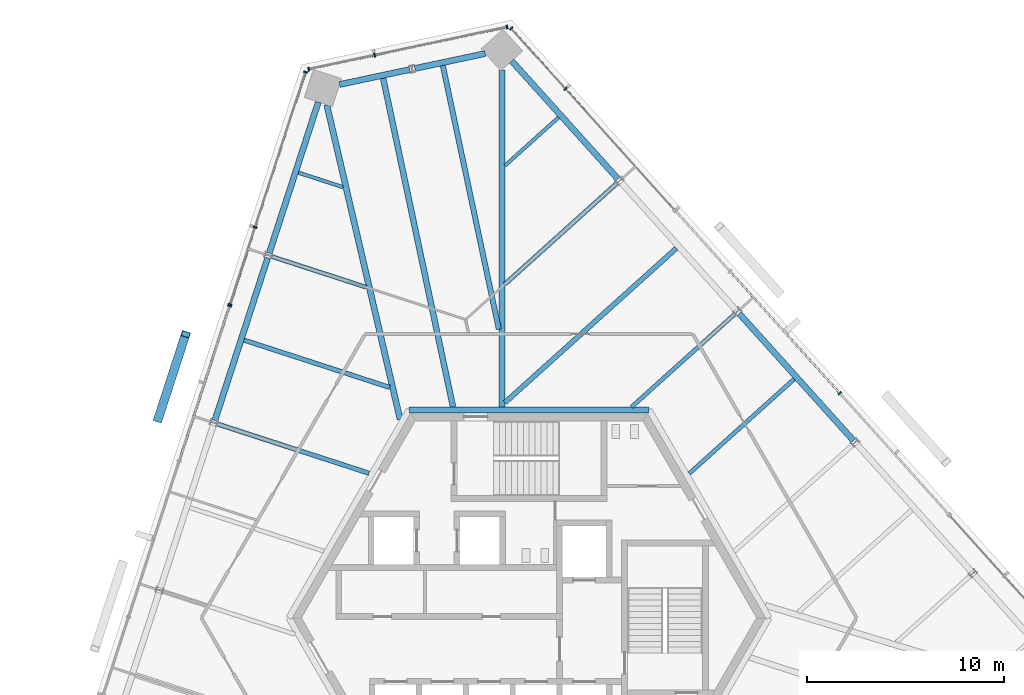
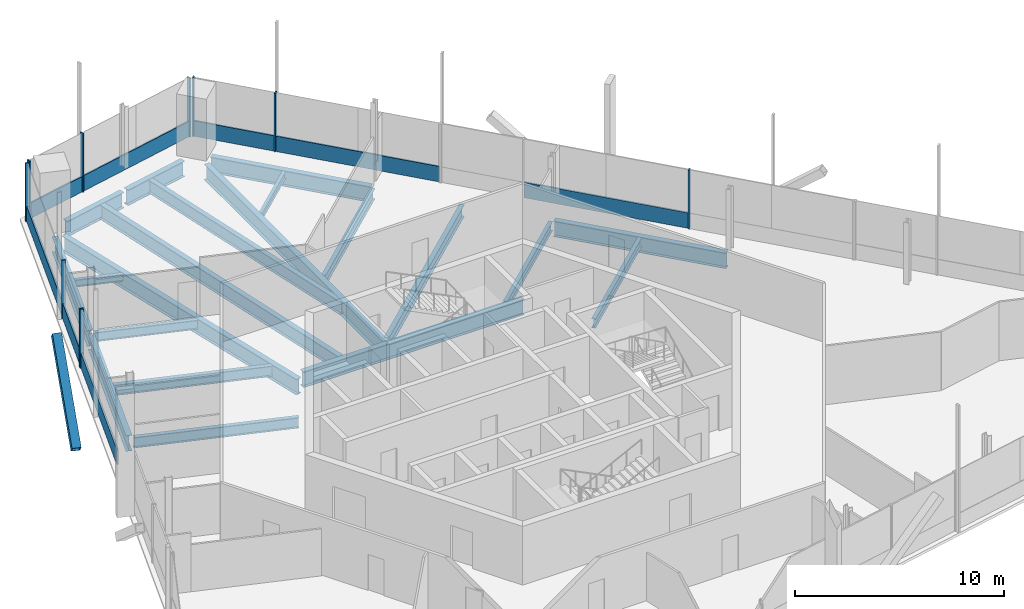
# One storey, part 7 of 17: 20 beams, 19 members, 5 elements without a shape of their own.
"""IFC4 building model written with IfcOpenShell, lengths in metres."""

from ifc_helpers import new_model, si_unit, direction, frame, origin, origin_2d, place, context, subcontext, project, spatial, rectangle, hollow_rectangle, i_section, extrude, source, transform, mapped, material, material_profile, profile_set, type_object, element, aggregate, save


model = new_model("IFC4")

# Units and contexts
model_context = context("Model", 3, precision=1e-05, world=origin(), true_north=direction((0.0, 1.0)))
body_context = subcontext(model_context, "Body", "Model", "MODEL_VIEW")
ifc_project = project(units=[si_unit("LENGTHUNIT", "METRE"), si_unit("AREAUNIT", "SQUARE_METRE"), si_unit("VOLUMEUNIT", "CUBIC_METRE"), si_unit("PLANEANGLEUNIT", "RADIAN"), si_unit("MASSUNIT", "GRAM", prefix="KILO")], contexts=[model_context])

# Site, building, storey
site_placement = place(None, origin())
site = spatial("IfcSite", under=ifc_project, at=site_placement, CompositionType="ELEMENT")
building_placement = place(site_placement, origin())
building = spatial("IfcBuilding", under=site, at=building_placement, Name="Triune Harvest Tower", CompositionType="ELEMENT")
storey_placement = place(building_placement, frame((0.0, 0.0, 281.10009765625)))
storey = spatial("IfcBuildingStorey", under=building, at=storey_placement, Name="L74", CompositionType="ELEMENT", Elevation=281.10009765625)

# Beams
ifc_material_1 = material(Name="Steel ASTM A992 Gr 50", Category="steel")
ifc_material_profile_1 = material_profile(ifc_material_1, i_section(OverallWidth=0.3046875, OverallDepth=0.914306640625, WebThickness=0.0166015625, FlangeThickness=0.02587890625, at=origin_2d()), Name="W36x160")
ifc_profile_set_1 = profile_set([ifc_material_profile_1], Name="Steel ASTM A992 Gr 50")
beam_type_1 = type_object("IfcBeamType", Name="CG-1 Core ring girder W36x160", PredefinedType="BEAM", material=ifc_profile_set_1)
shared_shape_1 = source(origin(), body_context, "Body", "SweptSolid", [
    extrude(i_section(OverallWidth=0.3046875, OverallDepth=0.914306640625, WebThickness=0.0166015625, FlangeThickness=0.02587890625, at=origin_2d()), origin(), (0.0, 0.0, 1.0), 12.17578125),
])
beam_1_placement = place(storey_placement, frame((6.087890625, 10.544677734375, -0.6171875), z_axis=(-1.0, 0.0, 0.0), x_axis=(0.0, -1.0, 0.0)))
element("IfcBeam", 1, at=beam_1_placement, inside=storey, type_object=beam_type_1, Name="beam/L74/CG2", PredefinedType="BEAM", context=body_context, shape_type="MappedRepresentation", body=[
    mapped(shared_shape_1, transform((0.0, 0.0, 0.0), scale=1.0)),
])
ifc_material_2 = material(Name="Steel ASTM A992 Gr 50", Category="steel")
ifc_material_profile_2 = material_profile(ifc_material_2, i_section(OverallWidth=0.3046875, OverallDepth=0.914306640625, WebThickness=0.0166015625, FlangeThickness=0.02587890625, at=origin_2d()), Name="W36x160")
ifc_profile_set_2 = profile_set([ifc_material_profile_2], Name="Steel ASTM A992 Gr 50")
beam_type_2 = type_object("IfcBeamType", Name="SB-1 Spandrel beam W36x160", PredefinedType="SPANDREL", material=ifc_profile_set_2)
shared_shape_2 = source(origin(), body_context, "Body", "SweptSolid", [
    extrude(i_section(OverallWidth=0.3046875, OverallDepth=0.914306640625, WebThickness=0.0166015625, FlangeThickness=0.02587890625, at=origin_2d()), origin(), (0.0, 0.0, 1.0), 8.0498046875),
])
for number, where, z_axis, x_axis, name in (
    (2, (4.511474609375, 22.25537109375, -0.6171875), (-0.669152382485, 0.743125217588, 0.0), (-0.743125217588, -0.669152382485, 0.0), "beam/L74/SB5"),
    (3, (-10.685791015625, 26.152099609375, -0.6171875), (-0.30902160762, -0.951055017348, 0.0), (0.951055017348, -0.30902160762, 0.0), "beam/L74/SB8"),
):
    element("IfcBeam", number, at=place(storey_placement, frame(where, z_axis=z_axis, x_axis=x_axis)), inside=storey, type_object=beam_type_2, Name=name, PredefinedType="SPANDREL", context=body_context, shape_type="MappedRepresentation", body=[
        mapped(shared_shape_2, transform((0.0, 0.0, 0.0), scale=1.0)),
    ])
shared_shape_3 = source(origin(), body_context, "Body", "SweptSolid", [
    extrude(i_section(OverallWidth=0.3046875, OverallDepth=0.914306640625, WebThickness=0.0166015625, FlangeThickness=0.02587890625, at=origin_2d()), origin(), (0.0, 0.0, 1.0), 8.671630859375),
])
beam_2_placement = place(storey_placement, frame((16.45947265625, 8.985595703125, -0.6171875), z_axis=(-0.669129593336, 0.743145737606, 0.0), x_axis=(-0.743145737606, -0.669129593336, 0.0)))
element("IfcBeam", 4, at=beam_2_placement, inside=storey, type_object=beam_type_2, Name="beam/L74/SB3", PredefinedType="SPANDREL", context=body_context, shape_type="MappedRepresentation", body=[
    mapped(shared_shape_3, transform((0.0, 0.0, 0.0), scale=1.0)),
])
shared_shape_4 = source(origin(), body_context, "Body", "SweptSolid", [
    extrude(i_section(OverallWidth=0.3046875, OverallDepth=0.914306640625, WebThickness=0.0166015625, FlangeThickness=0.02587890625, at=origin_2d()), origin(), (0.0, 0.0, 1.0), 8.67138671875),
])
beam_3_placement = place(storey_placement, frame((-13.252685546875, 18.25244140625, -0.6171875), z_axis=(-0.309022409974, -0.951054756643, 0.0), x_axis=(0.951054756643, -0.309022409974, 0.0)))
element("IfcBeam", 5, at=beam_3_placement, inside=storey, type_object=beam_type_2, Name="beam/L74/SB9", PredefinedType="SPANDREL", context=body_context, shape_type="MappedRepresentation", body=[
    mapped(shared_shape_4, transform((0.0, 0.0, 0.0), scale=1.0)),
])
shared_shape_5 = source(origin(), body_context, "Body", "SweptSolid", [
    extrude(i_section(OverallWidth=0.3046875, OverallDepth=0.914306640625, WebThickness=0.0166015625, FlangeThickness=0.02587890625, at=origin_2d()), origin(), (0.0, 0.0, 1.0), 3.645751953125),
])
beam_4_placement = place(storey_placement, frame((-2.223876953125, 28.61474609375, -0.6171875), z_axis=(-0.978145063506, -0.207923627178, 0.0), x_axis=(0.207923627178, -0.978145063506, 0.0)))
element("IfcBeam", 6, at=beam_4_placement, inside=storey, type_object=beam_type_2, Name="beam/L74/SB6", PredefinedType="SPANDREL", context=body_context, shape_type="MappedRepresentation", body=[
    mapped(shared_shape_5, transform((0.0, 0.0, 0.0), scale=1.0)),
])
shared_shape_6 = source(origin(), body_context, "Body", "SweptSolid", [
    extrude(i_section(OverallWidth=0.3046875, OverallDepth=0.914306640625, WebThickness=0.0166015625, FlangeThickness=0.02587890625, at=origin_2d()), origin(), (0.0, 0.0, 1.0), 3.6455078125),
])
beam_5_placement = place(storey_placement, frame((-6.041015625, 27.803466796875, -0.6171875), z_axis=(-0.978142168213, -0.207937247179, 0.0), x_axis=(0.207937247179, -0.978142168213, 0.0)))
element("IfcBeam", 7, at=beam_5_placement, inside=storey, type_object=beam_type_2, Name="beam/L74/SB7", PredefinedType="SPANDREL", context=body_context, shape_type="MappedRepresentation", body=[
    mapped(shared_shape_6, transform((0.0, 0.0, 0.0), scale=1.0)),
])
ifc_material_3 = material(Name="Steel ASTM A992 Gr 50", Category="steel")
ifc_material_profile_3 = material_profile(ifc_material_3, i_section(OverallWidth=0.3046875, OverallDepth=0.914306640625, WebThickness=0.0166015625, FlangeThickness=0.02587890625, at=origin_2d()), Name="W36x160")
ifc_profile_set_3 = profile_set([ifc_material_profile_3], Name="Steel ASTM A992 Gr 50")
beam_type_3 = type_object("IfcBeamType", Name="HG-3 Hip girder W36x160", PredefinedType="BEAM", material=ifc_profile_set_3)
shared_shape_7 = source(origin(), body_context, "Body", "SweptSolid", [
    extrude(i_section(OverallWidth=0.3046875, OverallDepth=0.914306640625, WebThickness=0.0166015625, FlangeThickness=0.02587890625, at=origin_2d()), origin(), (0.0, 0.0, 1.0), 17.088623046875),
])
beam_6_placement = place(storey_placement, frame((-1.376708984375, 27.78564453125, -0.6171875), z_axis=(0.0, -1.0, 0.0), x_axis=(1.0, 0.0, 0.0)))
element("IfcBeam", 8, at=beam_6_placement, inside=storey, type_object=beam_type_3, Name="beam/L74/HG2", PredefinedType="BEAM", context=body_context, shape_type="MappedRepresentation", body=[
    mapped(shared_shape_7, transform((0.0, 0.0, 0.0), scale=1.0)),
])
shared_shape_8 = source(origin(), body_context, "Body", "SweptSolid", [
    extrude(i_section(OverallWidth=0.3046875, OverallDepth=0.914306640625, WebThickness=0.0166015625, FlangeThickness=0.02587890625, at=origin_2d()), origin(), (0.0, 0.0, 1.0), 16.37060546875),
])
beam_7_placement = place(storey_placement, frame((-10.255126953125, 26.01220703125, -0.6171875), z_axis=(0.227026417792, -0.973888600213, 0.0), x_axis=(0.973888600213, 0.227026417792, 0.0)))
element("IfcBeam", 9, at=beam_7_placement, inside=storey, type_object=beam_type_3, Name="beam/L74/HG3", PredefinedType="BEAM", context=body_context, shape_type="MappedRepresentation", body=[
    mapped(shared_shape_8, transform((0.0, 0.0, 0.0), scale=1.0)),
])
ifc_material_4 = material(Name="Steel ASTM A992 Gr 50", Category="steel")
ifc_material_profile_4 = material_profile(ifc_material_4, i_section(OverallWidth=0.22900390625, OverallDepth=0.612060546875, WebThickness=0.011962890625, FlangeThickness=0.01953125, at=origin_2d()), Name="W24x84")
ifc_profile_set_4 = profile_set([ifc_material_profile_4], Name="Steel ASTM A992 Gr 50")
beam_type_4 = type_object("IfcBeamType", Name="JT-3 Floor joist W24x84", PredefinedType="JOIST", material=ifc_profile_set_4)
shared_shape_9 = source(origin(), body_context, "Body", "SweptSolid", [
    extrude(i_section(OverallWidth=0.22900390625, OverallDepth=0.612060546875, WebThickness=0.011962890625, FlangeThickness=0.01953125, at=origin_2d()), origin(), (0.0, 0.0, 1.0), 7.755126953125),
])
beam_8_placement = place(storey_placement, frame((-14.447509765625, 14.081787109375, -0.46630859375), z_axis=(0.951054888115, -0.309022005354, 0.0), x_axis=(0.309022005354, 0.951054888115, 0.0)))
element("IfcBeam", 10, at=beam_8_placement, inside=storey, type_object=beam_type_4, Name="beam/L74/JT14", PredefinedType="JOIST", context=body_context, shape_type="MappedRepresentation", body=[
    mapped(shared_shape_9, transform((0.0, 0.0, 0.0), scale=1.0)),
])
ifc_material_5 = material(Name="Steel ASTM A992 Gr 50", Category="steel")
ifc_material_profile_5 = material_profile(ifc_material_5, i_section(OverallWidth=0.2099609375, OverallDepth=0.535888671875, WebThickness=0.010986328125, FlangeThickness=0.017333984375, at=origin_2d()), Name="W21x68")
ifc_profile_set_5 = profile_set([ifc_material_profile_5], Name="Steel ASTM A992 Gr 50")
beam_type_5 = type_object("IfcBeamType", Name="JT-2 Floor joist W21x68", PredefinedType="JOIST", material=ifc_profile_set_5)
shared_shape_10 = source(origin(), body_context, "Body", "SweptSolid", [
    extrude(i_section(OverallWidth=0.2099609375, OverallDepth=0.535888671875, WebThickness=0.010986328125, FlangeThickness=0.017333984375, at=origin_2d()), origin(), (0.0, 0.0, 1.0), 7.155517578125),
])
beam_9_placement = place(storey_placement, frame((13.44482421875, 12.105712890625, -0.427978515625), z_axis=(-0.743139743978, -0.669136249892, 0.0), x_axis=(0.669136249892, -0.743139743978, 0.0)))
element("IfcBeam", 11, at=beam_9_placement, inside=storey, type_object=beam_type_5, Name="beam/L74/JT5", PredefinedType="JOIST", context=body_context, shape_type="MappedRepresentation", body=[
    mapped(shared_shape_10, transform((0.0, 0.0, 0.0), scale=1.0)),
])
shared_shape_11 = source(origin(), body_context, "Body", "SweptSolid", [
    extrude(i_section(OverallWidth=0.2099609375, OverallDepth=0.535888671875, WebThickness=0.010986328125, FlangeThickness=0.017333984375, at=origin_2d()), origin(), (0.0, 0.0, 1.0), 7.035400390625),
])
beam_10_placement = place(storey_placement, frame((10.437255859375, 15.404541015625, -0.427978515625), z_axis=(-0.743147458893, -0.669127681643, 0.0), x_axis=(0.669127681643, -0.743147458893, 0.0)))
element("IfcBeam", 12, at=beam_10_placement, inside=storey, type_object=beam_type_5, Name="beam/L74/JT6", PredefinedType="JOIST", context=body_context, shape_type="MappedRepresentation", body=[
    mapped(shared_shape_11, transform((0.0, 0.0, 0.0), scale=1.0)),
])
ifc_material_6 = material(Name="Steel ASTM A992 Gr 50", Category="steel")
ifc_material_profile_6 = material_profile(ifc_material_6, i_section(OverallWidth=0.253662109375, OverallDepth=0.683349609375, WebThickness=0.012451171875, FlangeThickness=0.01904296875, at=origin_2d()), Name="W27x94")
ifc_profile_set_6 = profile_set([ifc_material_profile_6], Name="Steel ASTM A992 Gr 50")
beam_type_6 = type_object("IfcBeamType", Name="JT-4 Floor joist W27x94", PredefinedType="JOIST", material=ifc_profile_set_6)
shared_shape_12 = source(origin(), body_context, "Body", "SweptSolid", [
    extrude(i_section(OverallWidth=0.253662109375, OverallDepth=0.683349609375, WebThickness=0.012451171875, FlangeThickness=0.01904296875, at=origin_2d()), origin(), (0.0, 0.0, 1.0), 11.70068359375),
])
beam_11_placement = place(storey_placement, frame((7.470947265625, 18.740478515625, -0.501708984375), z_axis=(-0.743153026809, -0.669121497745, 0.0), x_axis=(0.669121497745, -0.743153026809, 0.0)))
element("IfcBeam", 13, at=beam_11_placement, inside=storey, type_object=beam_type_6, Name="beam/L74/JT7", PredefinedType="JOIST", context=body_context, shape_type="MappedRepresentation", body=[
    mapped(shared_shape_12, transform((0.0, 0.0, 0.0), scale=1.0)),
])
shared_shape_13 = source(origin(), body_context, "Body", "SweptSolid", [
    extrude(i_section(OverallWidth=0.22900390625, OverallDepth=0.612060546875, WebThickness=0.011962890625, FlangeThickness=0.01953125, at=origin_2d()), origin(), (0.0, 0.0, 1.0), 7.6533203125),
])
beam_12_placement = place(storey_placement, frame((4.463134765625, 22.039306640625, -0.46630859375), z_axis=(-0.74314185307, -0.669133907537, 0.0), x_axis=(0.669133907537, -0.74314185307, 0.0)))
element("IfcBeam", 14, at=beam_12_placement, inside=storey, type_object=beam_type_4, Name="beam/L74/JT8", PredefinedType="JOIST", context=body_context, shape_type="MappedRepresentation", body=[
    mapped(shared_shape_13, transform((0.0, 0.0, 0.0), scale=1.0)),
])
ifc_material_7 = material(Name="Steel ASTM A992 Gr 50", Category="steel")
ifc_material_profile_7 = material_profile(ifc_material_7, i_section(OverallWidth=0.180908203125, OverallDepth=0.41650390625, WebThickness=0.010986328125, FlangeThickness=0.01806640625, at=origin_2d()), Name="W16x57")
ifc_profile_set_7 = profile_set([ifc_material_profile_7], Name="Steel ASTM A992 Gr 50")
beam_type_7 = type_object("IfcBeamType", Name="JT-1 Floor joist W16x57", PredefinedType="JOIST", material=ifc_profile_set_7)
shared_shape_14 = source(origin(), body_context, "Body", "SweptSolid", [
    extrude(i_section(OverallWidth=0.180908203125, OverallDepth=0.41650390625, WebThickness=0.010986328125, FlangeThickness=0.01806640625, at=origin_2d()), origin(), (0.0, 0.0, 1.0), 3.661865234375),
])
beam_13_placement = place(storey_placement, frame((1.496826171875, 25.37548828125, -0.368408203125), z_axis=(-0.743108471823, -0.669170978977, 0.0), x_axis=(0.669170978977, -0.743108471823, 0.0)))
element("IfcBeam", 15, at=beam_13_placement, inside=storey, type_object=beam_type_7, Name="beam/L74/JT9", PredefinedType="JOIST", context=body_context, shape_type="MappedRepresentation", body=[
    mapped(shared_shape_14, transform((0.0, 0.0, 0.0), scale=1.0)),
])
ifc_material_8 = material(Name="Steel ASTM A992 Gr 50", Category="steel")
ifc_material_profile_8 = material_profile(ifc_material_8, i_section(OverallWidth=0.2666015625, OverallDepth=0.7568359375, WebThickness=0.013916015625, FlangeThickness=0.019287109375, at=origin_2d()), Name="W30x108")
ifc_profile_set_8 = profile_set([ifc_material_profile_8], Name="Steel ASTM A992 Gr 50")
beam_type_8 = type_object("IfcBeamType", Name="JT-5 Floor joist W30x108", PredefinedType="JOIST", material=ifc_profile_set_8)
shared_shape_15 = source(origin(), body_context, "Body", "SweptSolid", [
    extrude(i_section(OverallWidth=0.2666015625, OverallDepth=0.7568359375, WebThickness=0.013916015625, FlangeThickness=0.019287109375, at=origin_2d()), origin(), (0.0, 0.0, 1.0), 13.66796875),
])
beam_14_placement = place(storey_placement, frame((-4.370849609375, 28.002685546875, -0.53857421875), z_axis=(0.207897850023, -0.978150542583, 0.0), x_axis=(0.978150542583, 0.207897850023, 0.0)))
element("IfcBeam", 16, at=beam_14_placement, inside=storey, type_object=beam_type_8, Name="beam/L74/JT10", PredefinedType="JOIST", context=body_context, shape_type="MappedRepresentation", body=[
    mapped(shared_shape_15, transform((0.0, 0.0, 0.0), scale=1.0)),
])
ifc_material_9 = material(Name="Steel ASTM A992 Gr 50", Category="steel")
ifc_material_profile_9 = material_profile(ifc_material_9, i_section(OverallWidth=0.2919921875, OverallDepth=0.8408203125, WebThickness=0.0146484375, FlangeThickness=0.021728515625, at=origin_2d()), Name="W33x130")
ifc_profile_set_9 = profile_set([ifc_material_profile_9], Name="Steel ASTM A992 Gr 50")
beam_type_9 = type_object("IfcBeamType", Name="JT-6 Floor joist W33x130", PredefinedType="JOIST", material=ifc_profile_set_9)
shared_shape_16 = source(origin(), body_context, "Body", "SweptSolid", [
    extrude(i_section(OverallWidth=0.2919921875, OverallDepth=0.8408203125, WebThickness=0.0146484375, FlangeThickness=0.021728515625, at=origin_2d()), origin(), (0.0, 0.0, 1.0), 17.034912109375),
])
beam_15_placement = place(storey_placement, frame((-7.396728515625, 27.359619140625, -0.58056640625), z_axis=(0.207911891923, -0.978147557988, 0.0), x_axis=(0.978147557988, 0.207911891923, 0.0)))
element("IfcBeam", 17, at=beam_15_placement, inside=storey, type_object=beam_type_9, Name="beam/L74/JT11", PredefinedType="JOIST", context=body_context, shape_type="MappedRepresentation", body=[
    mapped(shared_shape_16, transform((0.0, 0.0, 0.0), scale=1.0)),
])
shared_shape_17 = source(origin(), body_context, "Body", "SweptSolid", [
    extrude(i_section(OverallWidth=0.180908203125, OverallDepth=0.41650390625, WebThickness=0.010986328125, FlangeThickness=0.01806640625, at=origin_2d()), origin(), (0.0, 0.0, 1.0), 2.36474609375),
])
beam_16_placement = place(storey_placement, frame((-11.688720703125, 22.57275390625, -0.368408203125), z_axis=(0.951061378221, -0.309002030505, 0.0), x_axis=(0.309002030505, 0.951061378221, 0.0)))
element("IfcBeam", 18, at=beam_16_placement, inside=storey, type_object=beam_type_7, Name="beam/L74/JT12", PredefinedType="JOIST", context=body_context, shape_type="MappedRepresentation", body=[
    mapped(shared_shape_17, transform((0.0, 0.0, 0.0), scale=1.0)),
])
shared_shape_18 = source(origin(), body_context, "Body", "SweptSolid", [
    extrude(i_section(OverallWidth=0.2099609375, OverallDepth=0.535888671875, WebThickness=0.010986328125, FlangeThickness=0.017333984375, at=origin_2d()), origin(), (0.0, 0.0, 1.0), 5.0322265625),
])
beam_17_placement = place(storey_placement, frame((-13.04150390625, 18.318603515625, -0.427978515625), z_axis=(0.951062231031, -0.308999405674, 0.0), x_axis=(0.308999405674, 0.951062231031, 0.0)))
element("IfcBeam", 19, at=beam_17_placement, inside=storey, type_object=beam_type_5, Name="beam/L74/JT13", PredefinedType="JOIST", context=body_context, shape_type="MappedRepresentation", body=[
    mapped(shared_shape_18, transform((0.0, 0.0, 0.0), scale=1.0)),
])
shared_shape_19 = source(origin(), body_context, "Body", "SweptSolid", [
    extrude(i_section(OverallWidth=0.22900390625, OverallDepth=0.612060546875, WebThickness=0.011962890625, FlangeThickness=0.01953125, at=origin_2d()), origin(), (0.0, 0.0, 1.0), 8.07666015625),
])
beam_18_placement = place(storey_placement, frame((-15.80029296875, 9.82763671875, -0.46630859375), z_axis=(0.951056057917, -0.309018405114, 0.0), x_axis=(0.309018405114, 0.951056057917, 0.0)))
element("IfcBeam", 20, at=beam_18_placement, inside=storey, type_object=beam_type_4, Name="beam/L74/JT15", PredefinedType="JOIST", context=body_context, shape_type="MappedRepresentation", body=[
    mapped(shared_shape_19, transform((0.0, 0.0, 0.0), scale=1.0)),
])

# Member
ifc_material_10 = material(Name="Steel ASTM A572 Gr 50", Category="steel")
ifc_material_profile_10 = material_profile(ifc_material_10, hollow_rectangle(XDim=0.449951171875, YDim=0.449951171875, WallThickness=0.02490234375, at=origin_2d()), Name="Box 450x450x25")
ifc_profile_set_10 = profile_set([ifc_material_profile_10], Name="Steel ASTM A572 Gr 50")
member_type_1 = type_object("IfcMemberType", Name="BR-4 Brace Box 450x450x25", PredefinedType="BRACE", material=ifc_profile_set_10)
shared_shape_20 = source(origin(), body_context, "Body", "SweptSolid", [
    extrude(hollow_rectangle(XDim=0.449951171875, YDim=0.449951171875, WallThickness=0.02490234375, at=origin_2d()), origin(), (0.0, 0.0, 1.0), 5.7890625),
])
member_1_placement = place(storey_placement, frame((-18.814453125, 10.068359375, 0.0), z_axis=(0.241988977221, 0.744818286283, 0.621841664189), x_axis=(-0.951062953567, 0.308997181788, 0.0)))
element("IfcMember", 21, at=member_1_placement, inside=storey, type_object=member_type_1, Name="brace/B7-F3/d2/7", PredefinedType="BRACE", context=body_context, shape_type="MappedRepresentation", body=[
    mapped(shared_shape_20, transform((0.0, 0.0, 0.0), scale=1.0)),
])

# Curtain wall, members
ifc_material_11 = material(Name="Aluminium bronze anodised", Category="aluminium")
curtain_wall_type_1 = type_object("IfcCurtainWallType", Name="CW-1 Tower stick curtain wall", PredefinedType="NOTDEFINED", material=ifc_material_11)
curtain_wall_1_placement = place(storey_placement, origin())
curtain_wall_1 = element("IfcCurtainWall", 22, at=curtain_wall_1_placement, inside=storey, type_object=curtain_wall_type_1, Name="CW-1 B7-F2 L74 run 1")
ifc_material_12 = material(Name="Aluminium bronze anodised", Category="aluminium")
ifc_material_profile_11 = material_profile(ifc_material_12, rectangle(XDim=0.090087890625, YDim=0.89990234375, at=origin_2d()), Name="TR-1 transom 90 x 900")
ifc_profile_set_11 = profile_set([ifc_material_profile_11], Name="Aluminium bronze anodised")
member_type_2 = type_object("IfcMemberType", Name="TR-1 transom 90 x 900", PredefinedType="USERDEFINED", material=ifc_profile_set_11)
shared_shape_21 = source(origin(), body_context, "Body", "SweptSolid", [
    extrude(rectangle(XDim=0.090087890625, YDim=0.89990234375, at=origin_2d()), origin(), (0.0, 0.0, 1.0), 6.7900390625),
])
member_2_placement = place(storey_placement, frame((-1.15087890625, 29.95263671875, 0.449951171875), z_axis=(-0.978150442975, -0.207898318677, 0.0), x_axis=(0.207898318677, -0.978150442975, 0.0)))
member_2 = element("IfcMember", 23, at=member_2_placement, type_object=member_type_2, Name="CW-1 transom B7-F2 1.1", ObjectType="TRANSOM", PredefinedType="USERDEFINED", context=body_context, shape_type="MappedRepresentation", body=[
    mapped(shared_shape_21, transform((0.0, 0.0, 0.0), scale=1.0)),
])
shared_shape_22 = source(origin(), body_context, "Body", "SweptSolid", [
    extrude(rectangle(XDim=0.090087890625, YDim=0.89990234375, at=origin_2d()), origin(), (0.0, 0.0, 1.0), 3.3388671875),
])
member_3_placement = place(storey_placement, frame((-7.86572265625, 28.525390625, 0.449951171875), z_axis=(-0.978153089547, -0.207885866306, 0.0), x_axis=(0.207885866306, -0.978153089547, 0.0)))
member_3 = element("IfcMember", 24, at=member_3_placement, type_object=member_type_2, Name="CW-1 transom B7-F2 1.2", ObjectType="TRANSOM", PredefinedType="USERDEFINED", context=body_context, shape_type="MappedRepresentation", body=[
    mapped(shared_shape_22, transform((0.0, 0.0, 0.0), scale=1.0)),
])

# Curtain wall, member
curtain_wall_2_placement = place(storey_placement, origin())
curtain_wall_2 = element("IfcCurtainWall", 25, at=curtain_wall_2_placement, inside=storey, type_object=curtain_wall_type_1, Name="CW-1 B7-F1 L74 run 2001")
shared_shape_23 = source(origin(), body_context, "Body", "SweptSolid", [
    extrude(rectangle(XDim=0.090087890625, YDim=0.89990234375, at=origin_2d()), origin(), (0.0, 0.0, 1.0), 8.198974609375),
])
member_4_placement = place(storey_placement, frame((7.363037109375, 20.7109375, 0.449951171875), z_axis=(-0.669140740537, 0.743135700497, 0.0), x_axis=(-0.743135700497, -0.669140740537, 0.0)))
member_4 = element("IfcMember", 26, at=member_4_placement, type_object=member_type_2, Name="CW-1 transom B7-F1 2001.1", ObjectType="TRANSOM", PredefinedType="USERDEFINED", context=body_context, shape_type="MappedRepresentation", body=[
    mapped(shared_shape_23, transform((0.0, 0.0, 0.0), scale=1.0)),
])

curtain_wall_3_placement = place(storey_placement, origin())
curtain_wall_3 = element("IfcCurtainWall", 27, at=curtain_wall_3_placement, inside=storey, type_object=curtain_wall_type_1, Name="CW-1 B7-F3 L74 run 1")
member_5_placement = place(storey_placement, frame((-11.343994140625, 27.64013671875, 0.449951171875), z_axis=(-0.308991809103, -0.951064699117, 0.0), x_axis=(0.951064699117, -0.308991809103, 0.0)))
member_5 = element("IfcMember", 28, at=member_5_placement, type_object=member_type_2, Name="CW-1 transom B7-F3 1.1", ObjectType="TRANSOM", PredefinedType="USERDEFINED", context=body_context, shape_type="MappedRepresentation", body=[
    mapped(shared_shape_23, transform((0.0, 0.0, 0.0), scale=1.0)),
])

# Member
shared_shape_24 = source(origin(), body_context, "Body", "SweptSolid", [
    extrude(rectangle(XDim=0.090087890625, YDim=0.89990234375, at=origin_2d()), origin(), (0.0, 0.0, 1.0), 4.043212890625),
])
member_6_placement = place(storey_placement, frame((1.826416015625, 26.859619140625, 0.449951171875), z_axis=(-0.669091490458, 0.743180043729, 0.0), x_axis=(-0.743180043729, -0.669091490458, 0.0)))
member_6 = element("IfcMember", 29, at=member_6_placement, type_object=member_type_2, Name="CW-1 transom B7-F1 2001.2", ObjectType="TRANSOM", PredefinedType="USERDEFINED", context=body_context, shape_type="MappedRepresentation", body=[
    mapped(shared_shape_24, transform((0.0, 0.0, 0.0), scale=1.0)),
])

# Curtain wall, member
ifc_material_13 = material(Name="Aluminium bronze anodised", Category="aluminium")
curtain_wall_type_2 = type_object("IfcCurtainWallType", Name="CW-7 Tower stick curtain wall with insulated spandrel infill", PredefinedType="NOTDEFINED", material=ifc_material_13)
curtain_wall_4_placement = place(storey_placement, origin())
curtain_wall_4 = element("IfcCurtainWall", 30, at=curtain_wall_4_placement, inside=storey, type_object=curtain_wall_type_2, Name="CW-7 B7-F3 L74 run 1001")
shared_shape_25 = source(origin(), body_context, "Body", "SweptSolid", [
    extrude(rectangle(XDim=0.090087890625, YDim=0.89990234375, at=origin_2d()), origin(), (0.0, 0.0, 1.0), 8.19921875),
])
member_7_placement = place(storey_placement, frame((-15.196533203125, 15.782958984375, 0.449951171875), z_axis=(-0.309018742385, -0.951055948331, 0.0), x_axis=(0.951055948331, -0.309018742385, 0.0)))
member_7 = element("IfcMember", 31, at=member_7_placement, type_object=member_type_2, Name="CW-7 transom B7-F3 1001.1", ObjectType="TRANSOM", PredefinedType="USERDEFINED", context=body_context, shape_type="MappedRepresentation", body=[
    mapped(shared_shape_25, transform((0.0, 0.0, 0.0), scale=1.0)),
])

# Member
shared_shape_26 = source(origin(), body_context, "Body", "SweptSolid", [
    extrude(rectangle(XDim=0.090087890625, YDim=0.89990234375, at=origin_2d()), origin(), (0.0, 0.0, 1.0), 4.04345703125),
])
member_8_placement = place(storey_placement, frame((-13.900634765625, 19.77099609375, 0.449951171875), z_axis=(-0.309027363751, -0.951053147018, 0.0), x_axis=(0.951053147018, -0.309027363751, 0.0)))
member_8 = element("IfcMember", 32, at=member_8_placement, type_object=member_type_2, Name="CW-1 transom B7-F3 1.2", ObjectType="TRANSOM", PredefinedType="USERDEFINED", context=body_context, shape_type="MappedRepresentation", body=[
    mapped(shared_shape_26, transform((0.0, 0.0, 0.0), scale=1.0)),
])

# Curtain wall, members
curtain_wall_5_placement = place(storey_placement, origin())
curtain_wall_5 = element("IfcCurtainWall", 33, at=curtain_wall_5_placement, inside=storey, type_object=curtain_wall_type_2, Name="CW-7 B7-F1 L74 run 1001")
shared_shape_27 = source(origin(), body_context, "Body", "SweptSolid", [
    extrude(rectangle(XDim=0.090087890625, YDim=0.89990234375, at=origin_2d()), origin(), (0.0, 0.0, 1.0), 8.236328125),
])
member_9_placement = place(storey_placement, frame((15.730224609375, 11.41796875, 0.449951171875), z_axis=(-0.669130118621, 0.743145264638, 0.0), x_axis=(-0.743145264638, -0.669130118621, 0.0)))
member_9 = element("IfcMember", 34, at=member_9_placement, type_object=member_type_2, Name="CW-7 transom B7-F1 1001.2", ObjectType="TRANSOM", PredefinedType="USERDEFINED", context=body_context, shape_type="MappedRepresentation", body=[
    mapped(shared_shape_27, transform((0.0, 0.0, 0.0), scale=1.0)),
])
ifc_material_14 = material(Name="Aluminium bronze anodised", Category="aluminium")
ifc_material_profile_12 = material_profile(ifc_material_14, rectangle(XDim=0.199951171875, YDim=0.074951171875, at=origin_2d()), Name="MU-1 mullion 75 x 200")
ifc_profile_set_12 = profile_set([ifc_material_profile_12], Name="Aluminium bronze anodised")
member_type_3 = type_object("IfcMemberType", Name="MU-1 mullion 75 x 200", PredefinedType="MULLION", material=ifc_profile_set_12)
shared_shape_28 = source(origin(), body_context, "Body", "SweptSolid", [
    extrude(rectangle(XDim=0.199951171875, YDim=0.074951171875, at=origin_2d()), origin(), (0.0, 0.0, 1.0), 3.419921875),
])
member_10_placement = place(storey_placement, frame((15.75537109375, 11.39013671875, 0.0), z_axis=(0.0, 0.0, 1.0), x_axis=(-0.74314408674, -0.669131426809, 0.0)))
member_10 = element("IfcMember", 35, at=member_10_placement, type_object=member_type_3, Name="CW-7 mullion B7-F1 1001.3", PredefinedType="MULLION", context=body_context, shape_type="MappedRepresentation", body=[
    mapped(shared_shape_28, transform((0.0, 0.0, 0.0), scale=1.0)),
])
aggregate(curtain_wall_5, [member_10, member_9])

# Member
member_11_placement = place(storey_placement, frame((1.8515625, 26.831787109375, 0.0), z_axis=(0.0, 0.0, 1.0), x_axis=(-0.743144053222, -0.669131464034, 0.0)))
member_11 = element("IfcMember", 36, at=member_11_placement, type_object=member_type_3, Name="CW-1 mullion B7-F1 2001.3", PredefinedType="MULLION", context=body_context, shape_type="MappedRepresentation", body=[
    mapped(shared_shape_28, transform((0.0, 0.0, 0.0), scale=1.0)),
])

member_12_placement = place(storey_placement, frame((-0.904052734375, 29.892333984375, 0.0), z_axis=(0.0, 0.0, 1.0), x_axis=(-0.743144053222, -0.669131464034, 0.0)))
member_12 = element("IfcMember", 37, at=member_12_placement, type_object=member_type_3, Name="CW-1 mullion B7-F1 2001.4", PredefinedType="MULLION", context=body_context, shape_type="MappedRepresentation", body=[
    mapped(shared_shape_28, transform((0.0, 0.0, 0.0), scale=1.0)),
])

aggregate(curtain_wall_2, [member_11, member_12, member_4, member_6])

member_13_placement = place(storey_placement, frame((-1.114013671875, 29.96044921875, 0.0), z_axis=(0.0, 0.0, 1.0), x_axis=(0.207904739307, -0.978149078297, 0.0)))
member_13 = element("IfcMember", 38, at=member_13_placement, type_object=member_type_3, Name="CW-1 mullion B7-F2 1.1", PredefinedType="MULLION", context=body_context, shape_type="MappedRepresentation", body=[
    mapped(shared_shape_28, transform((0.0, 0.0, 0.0), scale=1.0)),
])

member_14_placement = place(storey_placement, frame((-7.8291015625, 28.533203125, 0.0), z_axis=(0.0, 0.0, 1.0), x_axis=(0.207904739307, -0.978149078297, 0.0)))
member_14 = element("IfcMember", 39, at=member_14_placement, type_object=member_type_3, Name="CW-1 mullion B7-F2 1.3", PredefinedType="MULLION", context=body_context, shape_type="MappedRepresentation", body=[
    mapped(shared_shape_28, transform((0.0, 0.0, 0.0), scale=1.0)),
])

member_15_placement = place(storey_placement, frame((-11.168212890625, 27.823486328125, 0.0), z_axis=(0.0, 0.0, 1.0), x_axis=(0.207904739307, -0.978149078297, 0.0)))
member_15 = element("IfcMember", 40, at=member_15_placement, type_object=member_type_3, Name="CW-1 mullion B7-F2 1.4", PredefinedType="MULLION", context=body_context, shape_type="MappedRepresentation", body=[
    mapped(shared_shape_28, transform((0.0, 0.0, 0.0), scale=1.0)),
])

aggregate(curtain_wall_1, [member_13, member_14, member_15, member_2, member_3])

member_16_placement = place(storey_placement, frame((-11.332275390625, 27.67578125, 0.0), z_axis=(0.0, 0.0, 1.0), x_axis=(0.951057715783, -0.309013302707, 0.0)))
member_16 = element("IfcMember", 41, at=member_16_placement, type_object=member_type_3, Name="CW-1 mullion B7-F3 1.1", PredefinedType="MULLION", context=body_context, shape_type="MappedRepresentation", body=[
    mapped(shared_shape_28, transform((0.0, 0.0, 0.0), scale=1.0)),
])

member_17_placement = place(storey_placement, frame((-13.88916015625, 19.806640625, 0.0), z_axis=(0.0, 0.0, 1.0), x_axis=(0.951057715783, -0.309013302707, 0.0)))
member_17 = element("IfcMember", 42, at=member_17_placement, type_object=member_type_3, Name="CW-1 mullion B7-F3 1.3", PredefinedType="MULLION", context=body_context, shape_type="MappedRepresentation", body=[
    mapped(shared_shape_28, transform((0.0, 0.0, 0.0), scale=1.0)),
])

member_18_placement = place(storey_placement, frame((-15.16162109375, 15.889892578125, 0.0), z_axis=(0.0, 0.0, 1.0), x_axis=(0.951057715783, -0.309013302707, 0.0)))
member_18 = element("IfcMember", 43, at=member_18_placement, type_object=member_type_3, Name="CW-1 mullion B7-F3 1.4", PredefinedType="MULLION", context=body_context, shape_type="MappedRepresentation", body=[
    mapped(shared_shape_28, transform((0.0, 0.0, 0.0), scale=1.0)),
])

aggregate(curtain_wall_3, [member_16, member_17, member_18, member_5, member_8])

member_19_placement = place(storey_placement, frame((-15.184814453125, 15.818603515625, 0.0), z_axis=(0.0, 0.0, 1.0), x_axis=(0.951055533932, -0.309020017761, 0.0)))
member_19 = element("IfcMember", 44, at=member_19_placement, type_object=member_type_3, Name="CW-7 mullion B7-F3 1001.1", PredefinedType="MULLION", context=body_context, shape_type="MappedRepresentation", body=[
    mapped(shared_shape_28, transform((0.0, 0.0, 0.0), scale=1.0)),
])

aggregate(curtain_wall_4, [member_19, member_7])

save(model, "model.ifc")
